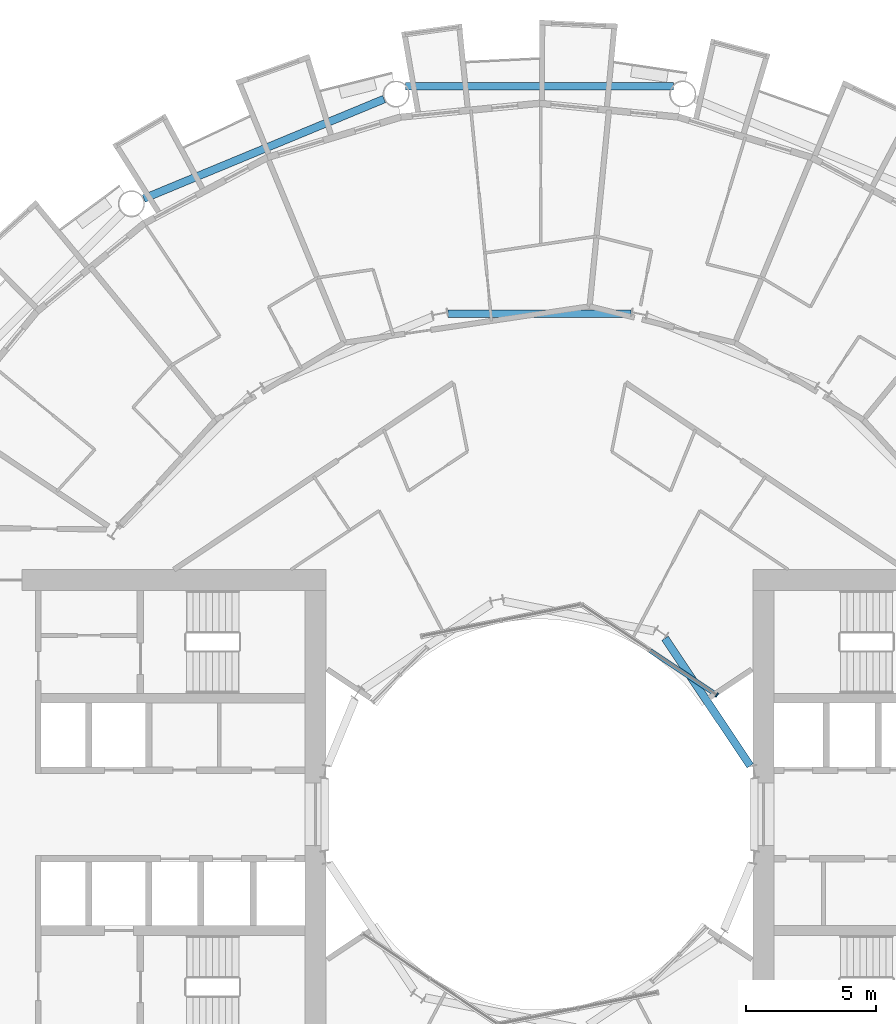
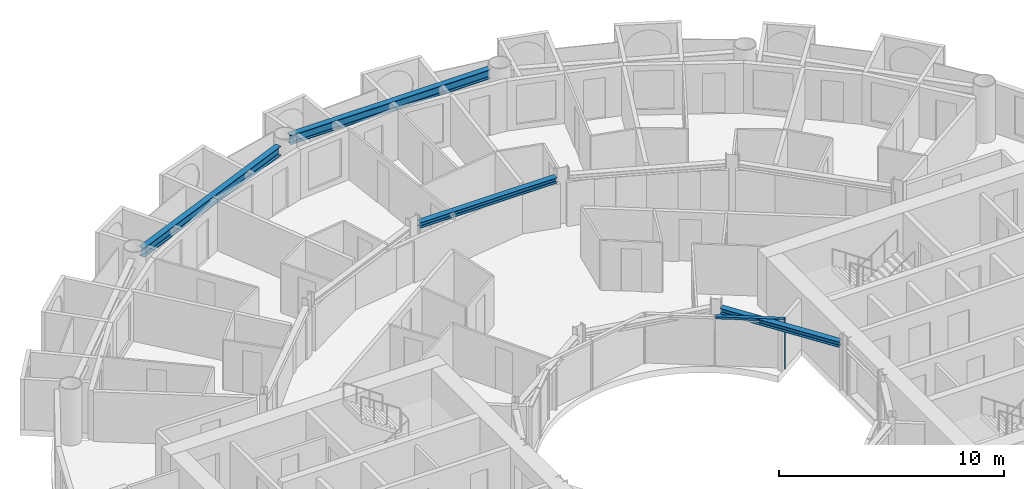
# One storey, part 8 of 26: 4 beams, 2 members, 1 element without a shape of its own.
"""IFC4 building model written with IfcOpenShell, lengths in metres."""

from ifc_helpers import new_model, si_unit, direction, frame, origin, origin_2d, place, context, subcontext, project, spatial, rectangle, i_section, extrude, material, layer, layer_set, material_profile, profile_set, type_object, element, aggregate, save


model = new_model("IFC4")

# Units and contexts
model_context = context("Model", 3, precision=1e-05, world=origin(), true_north=direction((0.0, 1.0)))
body_context = subcontext(model_context, "Body", "Model", "MODEL_VIEW")
ifc_project = project(units=[si_unit("LENGTHUNIT", "METRE"), si_unit("AREAUNIT", "SQUARE_METRE"), si_unit("VOLUMEUNIT", "CUBIC_METRE"), si_unit("PLANEANGLEUNIT", "RADIAN"), si_unit("MASSUNIT", "GRAM", prefix="KILO")], contexts=[model_context])

# Site, building, storey
site_placement = place(None, origin())
site = spatial("IfcSite", under=ifc_project, at=site_placement, CompositionType="ELEMENT")
building_placement = place(site_placement, origin())
building = spatial("IfcBuilding", under=site, at=building_placement, Name="Maasbend Ring Residences", CompositionType="ELEMENT")
storey_placement = place(building_placement, frame((0.0, 0.0, 31.949951171875)))
storey = spatial("IfcBuildingStorey", under=building, at=storey_placement, Name="L08", CompositionType="ELEMENT", Elevation=31.949951171875)

# Curtain wall, members
ifc_material_1 = material(Name="Aluminium and clear glass", Category="aluminium")
ifc_layer = layer(ifc_material_1, 0.179931640625)
ifc_layer_set = layer_set([ifc_layer], Name="CW-W")
curtain_wall_type = type_object("IfcCurtainWallType", Name="CW-W", PredefinedType="NOTDEFINED", material=ifc_layer_set)
curtain_wall_placement = place(storey_placement, origin())
curtain_wall = element("IfcCurtainWall", 1, at=curtain_wall_placement, inside=storey, type_object=curtain_wall_type, Name="Well curtain wall N1", PredefinedType="NOTDEFINED")
ifc_material_2 = material(Name="Aluminium 6063-T6", Category="aluminium")
ifc_material_profile_1 = material_profile(ifc_material_2, rectangle(XDim=0.179931640625, YDim=0.06005859375, at=origin_2d()), Name="AL 180x60")
ifc_profile_set_1 = profile_set([ifc_material_profile_1], Name="Aluminium 6063-T6")
member_type_1 = type_object("IfcMemberType", Name="CWM-W", PredefinedType="MULLION", material=ifc_profile_set_1)
member_1_placement = place(storey_placement, frame((6.805908203125, 4.580810546875, 0.0), z_axis=(0.0, 0.0, 1.0), x_axis=(-0.55557023302, -0.831469612303, 0.0)))
member_1 = element("IfcMember", 2, at=member_1_placement, type_object=member_type_1, Name="Mullion well face", PredefinedType="MULLION", context=body_context, shape_type="SweptSolid", body=[
    extrude(rectangle(XDim=0.179931640625, YDim=0.06005859375, at=origin_2d()), origin(), (0.0, 0.0, 1.0), 2.699951171875),
])
ifc_material_3 = material(Name="Aluminium 6063-T6", Category="aluminium")
ifc_material_profile_2 = material_profile(ifc_material_3, rectangle(XDim=0.179931640625, YDim=0.1201171875, at=origin_2d()), Name="AL 180x120")
ifc_profile_set_2 = profile_set([ifc_material_profile_2], Name="Aluminium 6063-T6")
member_type_2 = type_object("IfcMemberType", Name="CWT-W", PredefinedType="USERDEFINED", material=ifc_profile_set_2)
member_2_placement = place(storey_placement, frame((6.781005859375, 4.59765625, 2.64013671875), z_axis=(-0.831496422459, 0.555530106689, 0.0), x_axis=(-0.555530106689, -0.831496422459, 0.0)))
member_2 = element("IfcMember", 3, at=member_2_placement, type_object=member_type_2, Name="Transom well face", ObjectType="TRANSOM", PredefinedType="USERDEFINED", context=body_context, shape_type="SweptSolid", body=[
    extrude(rectangle(XDim=0.179931640625, YDim=0.1201171875, at=origin_2d()), origin(), (0.0, 0.0, 1.0), 3.053955078125),
])
aggregate(curtain_wall, [member_1, member_2])

# Beams
ifc_material_4 = material(Name="Steel S355J2", Category="steel")
ifc_material_profile_3 = material_profile(ifc_material_4, i_section(OverallWidth=0.300048828125, OverallDepth=0.300048828125, WebThickness=0.010986328125, FlangeThickness=0.01904296875, FilletRadius=0.027099609375, at=origin_2d()), Name="HEB 300")
ifc_profile_set_3 = profile_set([ifc_material_profile_3], Name="Steel S355J2")
beam_type_1 = type_object("IfcBeamType", Name="Corridor ring beam HEB 300", PredefinedType="BEAM", material=ifc_profile_set_3)
beam_1_placement = place(storey_placement, frame((3.5078125, 19.223388671875, 2.550048828125), z_axis=(-1.0, 0.0, 0.0), x_axis=(0.0, -1.0, 0.0)))
element("IfcBeam", 4, at=beam_1_placement, inside=storey, type_object=beam_type_1, Name="Corridor ring beam", PredefinedType="BEAM", context=body_context, shape_type="SweptSolid", body=[
    extrude(i_section(OverallWidth=0.300048828125, OverallDepth=0.300048828125, WebThickness=0.010986328125, FlangeThickness=0.01904296875, FilletRadius=0.027099609375, at=origin_2d()), origin(), (0.0, 0.0, 1.0), 7.015625),
])
ifc_material_5 = material(Name="Steel S355J2", Category="steel")
ifc_material_profile_4 = material_profile(ifc_material_5, i_section(OverallWidth=0.300048828125, OverallDepth=0.5, WebThickness=0.014404296875, FlangeThickness=0.028076171875, FilletRadius=0.027099609375, at=origin_2d()), Name="HEB 500")
ifc_profile_set_4 = profile_set([ifc_material_profile_4], Name="Steel S355J2")
beam_type_2 = type_object("IfcBeamType", Name="Spandrel ring beam HEB 500", PredefinedType="SPANDREL", material=ifc_profile_set_4)
beam_2_placement = place(storey_placement, frame((5.1435546875, 27.9580078125, 2.449951171875), z_axis=(-1.0, 0.0, 0.0), x_axis=(0.0, -1.0, 0.0)))
element("IfcBeam", 5, at=beam_2_placement, inside=storey, type_object=beam_type_2, Name="Spandrel ring beam", PredefinedType="SPANDREL", context=body_context, shape_type="SweptSolid", body=[
    extrude(i_section(OverallWidth=0.300048828125, OverallDepth=0.5, WebThickness=0.014404296875, FlangeThickness=0.028076171875, FilletRadius=0.027099609375, at=origin_2d()), origin(), (0.0, 0.0, 1.0), 10.287109375),
])
beam_3_placement = place(storey_placement, frame((-5.970703125, 27.463623046875, 2.449951171875), z_axis=(-0.923886337442, -0.382667003395, 0.0), x_axis=(0.382667003395, -0.923886337442, 0.0)))
element("IfcBeam", 6, at=beam_3_placement, inside=storey, type_object=beam_type_2, Name="Spandrel ring beam", PredefinedType="SPANDREL", context=body_context, shape_type="SweptSolid", body=[
    extrude(i_section(OverallWidth=0.300048828125, OverallDepth=0.5, WebThickness=0.014404296875, FlangeThickness=0.028076171875, FilletRadius=0.027099609375, at=origin_2d()), origin(), (0.0, 0.0, 1.0), 9.9873046875),
])
ifc_material_6 = material(Name="Steel S355J2", Category="steel")
ifc_material_profile_5 = material_profile(ifc_material_6, i_section(OverallWidth=0.300048828125, OverallDepth=0.300048828125, WebThickness=0.010986328125, FlangeThickness=0.01904296875, FilletRadius=0.027099609375, at=origin_2d()), Name="HEB 300")
ifc_profile_set_5 = profile_set([ifc_material_profile_5], Name="Steel S355J2")
beam_type_3 = type_object("IfcBeamType", Name="Well edge beam HEB 300", PredefinedType="BEAM", material=ifc_profile_set_5)
beam_4_placement = place(storey_placement, frame((8.08837890625, 1.86376953125, 2.550048828125), z_axis=(-0.555589782054, 0.831456549723, 0.0), x_axis=(-0.831456549723, -0.555589782054, 0.0)))
element("IfcBeam", 7, at=beam_4_placement, inside=storey, type_object=beam_type_3, Name="Well edge beam", PredefinedType="BEAM", context=body_context, shape_type="SweptSolid", body=[
    extrude(i_section(OverallWidth=0.300048828125, OverallDepth=0.300048828125, WebThickness=0.010986328125, FlangeThickness=0.01904296875, FilletRadius=0.027099609375, at=origin_2d()), origin(), (0.0, 0.0, 1.0), 5.887939453125),
])

save(model, "model.ifc")
